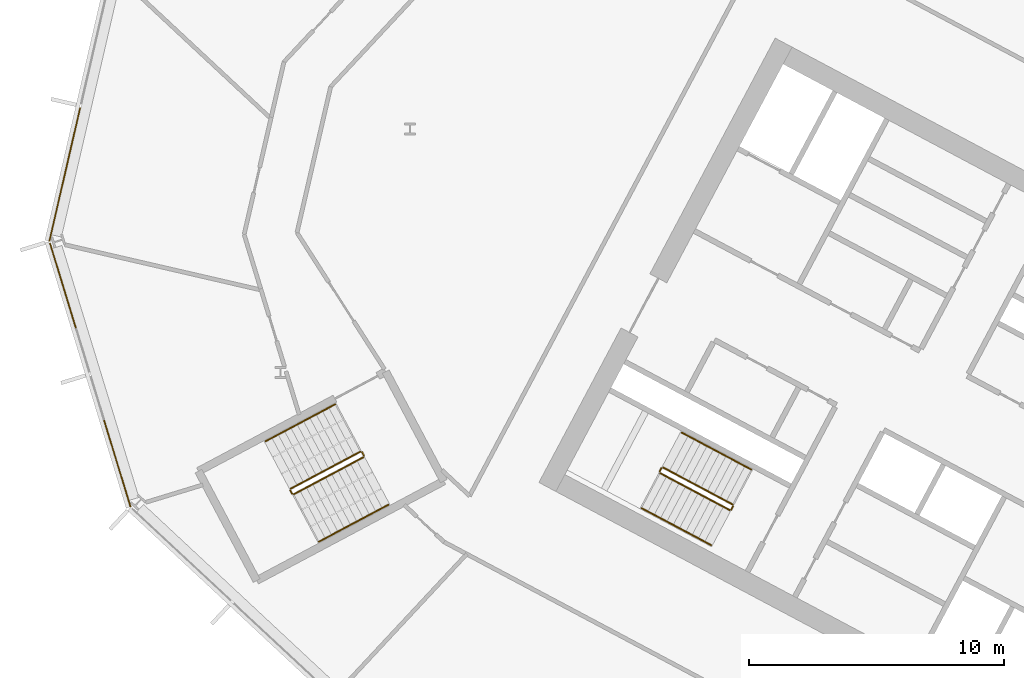
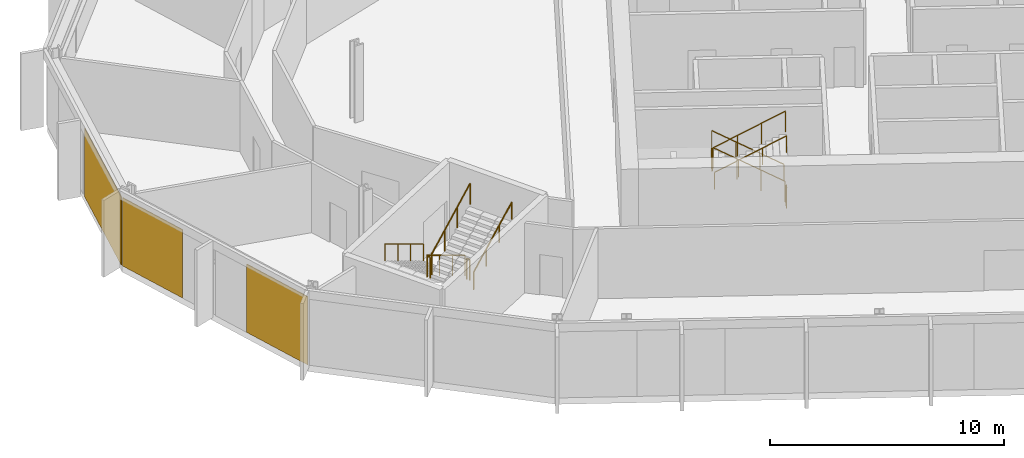
# One storey, part 21 of 28: 12 railings, 3 coverings, 2 elements without a shape of their own.
"""IFC4 building model written with IfcOpenShell, lengths in metres."""

import ifcopenshell
import ifcopenshell.guid

model = None  # the IFC model being written
_history = None  # IfcOwnerHistory: only IFC2X3 demands one
_inside = {}  # id of a spatial element -> (the spatial element, [elements in it])
_under = {}  # id of a project, library or spatial element -> (it, [spatial elements below it])
_declared = {}  # id of a project -> (the project, [libraries it declares])
_typed = {}  # id of a type object -> (the type object, [elements of that type])
_made_of = {}  # id of a material, layer set ... -> (it, [elements and type objects made of it])


def new_model(schema):
    """Start an empty IFC model of exactly this schema.

    Asked for "IFC4X3", IfcOpenShell would pick the latest addendum, in which some entities
    have other attributes; the version numbers below select the first issue.
    IFC2X3 requires an IfcOwnerHistory on every rooted entity: one is made here for all.
    """
    global model, _history
    if schema == "IFC4X3":
        model = ifcopenshell.file(schema_version=(4, 3, 0, 0))
    else:
        model = ifcopenshell.file(schema=schema)
    _inside.clear()
    _under.clear()
    _declared.clear()
    _typed.clear()
    _made_of.clear()
    _history = None
    if model.schema == "IFC2X3":
        org = make("IfcOrganization", Name="unknown")
        user = make(
            "IfcPersonAndOrganization",
            ThePerson=make("IfcPerson", FamilyName="unknown"),
            TheOrganization=org,
        )
        app = make(
            "IfcApplication",
            ApplicationDeveloper=org,
            Version="unknown",
            ApplicationFullName="unknown",
            ApplicationIdentifier="unknown",
        )
        _history = make(
            "IfcOwnerHistory",
            OwningUser=user,
            OwningApplication=app,
            ChangeAction="ADDED",
            CreationDate=0,
        )
    return model


def make(cls, **values):
    """One entity of the class cls with the attributes given. An attribute that is None is left unset."""
    return model.create_entity(
        cls, **{name: value for name, value in values.items() if value is not None}
    )


def rooted(cls, **values):
    """An entity with a GlobalId (a new one), such as an element, a storey or a relation."""
    return make(cls, GlobalId=ifcopenshell.guid.new(), OwnerHistory=_history, **values)


def si_unit(unit_type, name, prefix=None):
    """IfcSIUnit, for example si_unit("LENGTHUNIT", "METRE", prefix="MILLI")."""
    return make("IfcSIUnit", UnitType=unit_type, Prefix=prefix, Name=name)


def assignment(units):
    """IfcUnitAssignment: the units of a project."""
    return None if units is None else make("IfcUnitAssignment", Units=units)


def point(xyz):
    """IfcCartesianPoint."""
    return None if xyz is None else make("IfcCartesianPoint", Coordinates=xyz)


def direction(xyz):
    """IfcDirection."""
    return None if xyz is None else make("IfcDirection", DirectionRatios=xyz)


def frame(location, z_axis=None, x_axis=None):
    """IfcAxis2Placement3D, a coordinate frame: its origin and axes. An axis left out is left unset."""
    return make(
        "IfcAxis2Placement3D",
        Location=point(location),
        Axis=direction(z_axis),
        RefDirection=direction(x_axis),
    )


def frame_2d(location, x_axis=None):
    """IfcAxis2Placement2D, a coordinate frame in the plane: its origin and x axis."""
    return make(
        "IfcAxis2Placement2D", Location=point(location), RefDirection=direction(x_axis)
    )


def origin():
    """The frame at (0, 0, 0) with its axes left unset."""
    return frame((0.0, 0.0, 0.0))


def origin_2d():
    """The frame at (0, 0) in the plane with its x axis left unset."""
    return frame_2d((0.0, 0.0))


def place(relative_to, where):
    """IfcLocalPlacement: puts the frame where relative to a parent placement (None: the world)."""
    return make(
        "IfcLocalPlacement", PlacementRelTo=relative_to, RelativePlacement=where
    )


def context(
    kind, dimensions, precision=None, world=None, true_north=None, identifier=None
):
    """IfcGeometricRepresentationContext, for example the 3D "Model" context."""
    return make(
        "IfcGeometricRepresentationContext",
        ContextIdentifier=identifier,
        ContextType=kind,
        CoordinateSpaceDimension=dimensions,
        Precision=precision,
        WorldCoordinateSystem=world,
        TrueNorth=true_north,
    )


def subcontext(parent, identifier, kind, view, scale=None):
    """IfcGeometricRepresentationSubContext, for example "Body" below "Model"."""
    return make(
        "IfcGeometricRepresentationSubContext",
        ContextIdentifier=identifier,
        ContextType=kind,
        ParentContext=parent,
        TargetScale=scale,
        TargetView=view,
    )


def project(units=None, contexts=None):
    """IfcProject with its units and contexts."""
    return rooted(
        "IfcProject",
        Name="project",
        RepresentationContexts=contexts,
        UnitsInContext=assignment(units),
    )


def spatial(cls, under=None, at=None, **own):
    """A site, building, storey or space (cls), placed at a placement, below another one or the project."""
    s = rooted(cls, ObjectPlacement=at, **own)
    if under is not None:
        _under.setdefault(under.id(), (under, []))[1].append(s)
    return s


def polyline(points):
    """IfcPolyline through the points."""
    return make("IfcPolyline", Points=[point(p) for p in points])


def profile(cls, at=None, kind="AREA", **sizes):
    """A parametric profile (cls). Its sizes go by their IFC names, for example OverallWidth=200.0."""
    return make(cls, ProfileType=kind, Position=at, **sizes)


def rectangle(**sizes):
    """IfcRectangleProfileDef."""
    return profile("IfcRectangleProfileDef", **sizes)


def outline(outer, holes=None, kind="AREA"):
    """IfcArbitraryClosedProfileDef: a profile drawn as a closed curve; with holes, ...WithVoids."""
    if holes is None:
        return make("IfcArbitraryClosedProfileDef", ProfileType=kind, OuterCurve=outer)
    return make(
        "IfcArbitraryProfileDefWithVoids",
        ProfileType=kind,
        OuterCurve=outer,
        InnerCurves=holes,
    )


def extrude(swept, where, along, depth):
    """IfcExtrudedAreaSolid: the profile swept, set in the frame where, extruded along a direction by depth."""
    return make(
        "IfcExtrudedAreaSolid",
        SweptArea=swept,
        Position=where,
        ExtrudedDirection=direction(along),
        Depth=depth,
    )


def shape(context_of_items, identifier, shape_type, items):
    """IfcShapeRepresentation: the items that make up one representation, for example the "Body"."""
    return make(
        "IfcShapeRepresentation",
        ContextOfItems=context_of_items,
        RepresentationIdentifier=identifier,
        RepresentationType=shape_type,
        Items=items,
    )


def material(Name=None, Category=None):
    """IfcMaterial."""
    return make("IfcMaterial", Name=Name, Category=Category)


def layer(
    of_material, thickness, ventilated=None, Name=None, Category=None, Priority=None
):
    """IfcMaterialLayer: one layer of a wall or slab, of a material (None: an air gap)."""
    return make(
        "IfcMaterialLayer",
        Material=of_material,
        LayerThickness=thickness,
        IsVentilated=ventilated,
        Name=Name,
        Category=Category,
        Priority=Priority,
    )


def layer_set(layers, Name=None):
    """IfcMaterialLayerSet."""
    return make("IfcMaterialLayerSet", MaterialLayers=layers, LayerSetName=Name)


def made_of(thing, what):
    """Note that an element or type object is made of a material, layer set ...; save() writes the relation."""
    if what is not None:
        _made_of.setdefault(what.id(), (what, []))[1].append(thing)
    return thing


def type_object(cls, material=None, **own):
    """A type object (cls), such as IfcWallType, which elements share."""
    return made_of(rooted(cls, **own), material)


def element(
    cls,
    number,
    at=None,
    inside=None,
    cuts=None,
    type_object=None,
    material=None,
    context=None,
    identifier="Body",
    shape_type=None,
    held_by="IfcProductDefinitionShape",
    body=None,
    shapes=None,
    **own,
):
    """One element of the class cls, such as IfcWall. Its Tag is "e" and its number.

    at: its placement. inside: the storey or other place that contains it. cuts: it is an
    opening in that element (IfcRelVoidsElement). A single representation is given by context,
    identifier, shape_type and body (its items); several are given by shapes. held_by: the class
    of the entity that holds the representations. save() writes the other relations.
    """
    e = rooted(cls, Tag="e%d" % number, ObjectPlacement=at, **own)
    if body is not None:
        shapes = [shape(context, identifier, shape_type, body)]
    if shapes is not None:
        e.Representation = make(held_by, Representations=shapes)
    if inside is not None:
        _inside.setdefault(inside.id(), (inside, []))[1].append(e)
    if cuts is not None:
        rooted(
            "IfcRelVoidsElement", RelatingBuildingElement=cuts, RelatedOpeningElement=e
        )
    if type_object is not None:
        _typed.setdefault(type_object.id(), (type_object, []))[1].append(e)
    return made_of(e, material)


def aggregate(whole, parts):
    """IfcRelAggregates: a whole, such as a stair, and the parts it consists of."""
    return rooted("IfcRelAggregates", RelatingObject=whole, RelatedObjects=parts)


def save(model, path):
    """Write the relations noted so far, then the file.

    IfcRelAggregates (storeys below a building ...), IfcRelContainedInSpatialStructure (elements
    in a storey), IfcRelDefinesByType, IfcRelAssociatesMaterial and IfcRelDeclares: one each for
    every whole, place, type object, material and project.
    """
    for whole, parts in _under.values():
        aggregate(whole, parts)
    for where, things in _inside.values():
        rooted(
            "IfcRelContainedInSpatialStructure",
            RelatedElements=things,
            RelatingStructure=where,
        )
    for kind, things in _typed.values():
        rooted("IfcRelDefinesByType", RelatedObjects=things, RelatingType=kind)
    for what, things in _made_of.values():
        rooted("IfcRelAssociatesMaterial", RelatedObjects=things, RelatingMaterial=what)
    for by, libraries in _declared.values():
        rooted("IfcRelDeclares", RelatingContext=by, RelatedDefinitions=libraries)
    model.write(path)


model = new_model("IFC4")

# Units and contexts
model_context = context("Model", 3, precision=1e-05, world=origin(), true_north=direction((0.0, 1.0)))
body_context = subcontext(model_context, "Body", "Model", "MODEL_VIEW")
ifc_project = project(units=[si_unit("LENGTHUNIT", "METRE"), si_unit("AREAUNIT", "SQUARE_METRE"), si_unit("VOLUMEUNIT", "CUBIC_METRE"), si_unit("PLANEANGLEUNIT", "RADIAN"), si_unit("MASSUNIT", "GRAM", prefix="KILO")], contexts=[model_context])

# Site, building, storey
site_placement = place(None, origin())
site = spatial("IfcSite", under=ifc_project, at=site_placement, CompositionType="ELEMENT")
building_placement = place(site_placement, origin())
building = spatial("IfcBuilding", under=site, at=building_placement, Name="Cormorant Relay Tower", CompositionType="ELEMENT")
storey_placement = place(building_placement, frame((0.0, 0.0, 170.199951171875)))
storey = spatial("IfcBuildingStorey", under=building, at=storey_placement, Name="L36", CompositionType="ELEMENT", Elevation=170.199951171875)

# Curtain wall, covering
ifc_material_1 = material(Name="Aluminium 6063-T6 anodised bronze", Category="aluminium")
ifc_layer_1 = layer(ifc_material_1, 0.199951171875)
ifc_layer_set_1 = layer_set([ifc_layer_1], Name="CW1 unitised bronze curtain wall with vertical fins")
curtain_wall_type = type_object("IfcCurtainWallType", Name="CW1 unitised bronze curtain wall with vertical fins", PredefinedType="NOTDEFINED", material=ifc_layer_set_1)
curtain_wall_1_placement = place(storey_placement, origin())
curtain_wall_1 = element("IfcCurtainWall", 1, at=curtain_wall_1_placement, inside=storey, type_object=curtain_wall_type, Name="CW1 curtain wall 13", PredefinedType="NOTDEFINED")
ifc_material_2 = material(Name="Pale bronze anodised aluminium insulated panel", Category="aluminium")
ifc_layer_2 = layer(ifc_material_2, 0.0400390625)
ifc_layer_set_2 = layer_set([ifc_layer_2], Name="CW1 pale bronze insulated panel 40")
covering_type = type_object("IfcCoveringType", Name="CW1 pale bronze insulated panel 40", PredefinedType="CLADDING", material=ifc_layer_set_2)
covering_1_placement = place(storey_placement, frame((-60.136474609375, 23.00927734375, 0.0), z_axis=(0.0, 0.0, 1.0), x_axis=(-0.224951054344, -0.974370064785, 0.0)))
covering_1 = element("IfcCovering", 2, at=covering_1_placement, type_object=covering_type, Name="CW1 panel S02", PredefinedType="CLADDING", context=body_context, shape_type="SweptSolid", body=[
    extrude(rectangle(XDim=5.360107421875, YDim=0.0400390625, at=origin_2d()), origin(), (0.0, 0.0, 1.0), 3.550048828125),
])
aggregate(curtain_wall_1, [covering_1])

# Curtain wall, coverings
curtain_wall_2_placement = place(storey_placement, origin())
curtain_wall_2 = element("IfcCurtainWall", 3, at=curtain_wall_2_placement, inside=storey, type_object=curtain_wall_type, Name="CW1 curtain wall 14", PredefinedType="NOTDEFINED")
covering_2_placement = place(storey_placement, frame((-60.20751953125, 18.6494140625, 0.0), z_axis=(0.0, 0.0, 1.0), x_axis=(0.292371704723, -0.956304755963, 0.0)))
covering_2 = element("IfcCovering", 4, at=covering_2_placement, type_object=covering_type, Name="CW1 panel S00", PredefinedType="CLADDING", context=body_context, shape_type="SweptSolid", body=[
    extrude(rectangle(XDim=3.485107421875, YDim=0.0400390625, at=origin_2d()), origin(), (0.0, 0.0, 1.0), 3.550048828125),
])
covering_3_placement = place(storey_placement, frame((-58.081298828125, 11.6943359375, 0.0), z_axis=(0.0, 0.0, 1.0), x_axis=(0.292371704723, -0.956304755963, 0.0)))
covering_3 = element("IfcCovering", 5, at=covering_3_placement, type_object=covering_type, Name="CW1 panel S03", PredefinedType="CLADDING", context=body_context, shape_type="SweptSolid", body=[
    extrude(rectangle(XDim=3.560302734375, YDim=0.0400390625, at=origin_2d()), origin(), (0.0, 0.0, 1.0), 3.550048828125),
])
aggregate(curtain_wall_2, [covering_2, covering_3])

# Railings
ifc_material_3 = material(Name="Steel ASTM A572 Grade 50 (Fy 345 MPa)", Category="steel")
railing_type_1 = type_object("IfcRailingType", Name="Stair guard 1100", PredefinedType="GUARDRAIL", material=ifc_material_3)
railing_1_placement = place(storey_placement, frame((-33.9921875, 10.08935546875, 0.166748046875)))
element("IfcRailing", 6, at=railing_1_placement, inside=storey, type_object=railing_type_1, Name="L36 A2 stair guard 1", PredefinedType="GUARDRAIL", context=body_context, shape_type="SweptSolid", body=[
    extrude(outline(polyline([(0.022216796875, 0.00927734375), (0.00927734375, 0.022216796875), (-0.00927734375, 0.022216796875), (-0.022216796875, 0.00927734375), (-0.022216796875, -0.00927734375), (-0.00927734375, -0.022216796875), (0.00927734375, -0.022216796875), (0.022216796875, -0.00927734375), (0.022216796875, 0.00927734375)])), frame((0.0, 0.0, 1.076171875), z_axis=(-0.758713656843, 0.403434867536, 0.511462505542), x_axis=(-0.469489399267, -0.882938108802, 0.0)), (0.0, 0.0, 1.0), 3.584228515625),
    extrude(outline(polyline([(0.019287109375, 0.008056640625), (0.008056640625, 0.019287109375), (-0.008056640625, 0.019287109375), (-0.019287109375, 0.008056640625), (-0.019287109375, -0.008056640625), (-0.008056640625, -0.019287109375), (0.008056640625, -0.019287109375), (0.019287109375, -0.008056640625), (0.019287109375, 0.008056640625)])), origin(), (0.0, 0.0, 1.0), 1.052001953125),
    extrude(outline(polyline([(0.019287109375, 0.008056640625), (0.008056640625, 0.019287109375), (-0.008056640625, 0.019287109375), (-0.019287109375, 0.008056640625), (-0.019287109375, -0.008056640625), (-0.008056640625, -0.019287109375), (0.008056640625, -0.019287109375), (0.019287109375, -0.008056640625), (0.019287109375, 0.008056640625)])), frame((-0.906494140625, 0.48193359375, 0.611083984375)), (0.0, 0.0, 1.0), 1.052001953125),
    extrude(outline(polyline([(0.019287109375, 0.008056640625), (0.008056640625, 0.019287109375), (-0.008056640625, 0.019287109375), (-0.019287109375, 0.008056640625), (-0.019287109375, -0.008056640625), (-0.008056640625, -0.019287109375), (0.008056640625, -0.019287109375), (0.019287109375, -0.008056640625), (0.019287109375, 0.008056640625)])), frame((-1.81298828125, 0.964111328125, 1.22216796875)), (0.0, 0.0, 1.0), 1.052001953125),
    extrude(outline(polyline([(0.019287109375, 0.008056640625), (0.008056640625, 0.019287109375), (-0.008056640625, 0.019287109375), (-0.019287109375, 0.008056640625), (-0.019287109375, -0.008056640625), (-0.008056640625, -0.019287109375), (0.008056640625, -0.019287109375), (0.019287109375, -0.008056640625), (0.019287109375, 0.008056640625)])), frame((-2.719482421875, 1.446044921875, 1.833251953125)), (0.0, 0.0, 1.0), 1.052001953125),
])
railing_2_placement = place(storey_placement, frame((-36.779296875, 11.5146484375, 2.0)))
element("IfcRailing", 7, at=railing_2_placement, inside=storey, type_object=railing_type_1, Name="L36 A2 stair guard 2", PredefinedType="GUARDRAIL", context=body_context, shape_type="SweptSolid", body=[
    extrude(outline(polyline([(0.022216796875, 0.00927734375), (0.00927734375, 0.022216796875), (-0.00927734375, 0.022216796875), (-0.022216796875, 0.00927734375), (-0.022216796875, -0.00927734375), (-0.00927734375, -0.022216796875), (0.00927734375, -0.022216796875), (0.022216796875, -0.00927734375), (0.022216796875, 0.00927734375)])), frame((0.0, 0.0, 1.076171875), z_axis=(-0.469234640946, -0.883073525669, 0.0), x_axis=(0.883073525669, -0.469234640946, 0.0)), (0.0, 0.0, 1.0), 0.14990234375),
    extrude(outline(polyline([(0.019287109375, 0.008056640625), (0.008056640625, 0.019287109375), (-0.008056640625, 0.019287109375), (-0.019287109375, 0.008056640625), (-0.019287109375, -0.008056640625), (-0.008056640625, -0.019287109375), (0.008056640625, -0.019287109375), (0.019287109375, -0.008056640625), (0.019287109375, 0.008056640625)])), origin(), (0.0, 0.0, 1.0), 1.052001953125),
    extrude(outline(polyline([(0.019287109375, 0.008056640625), (0.008056640625, 0.019287109375), (-0.008056640625, 0.019287109375), (-0.019287109375, 0.008056640625), (-0.019287109375, -0.008056640625), (-0.008056640625, -0.019287109375), (0.008056640625, -0.019287109375), (0.019287109375, -0.008056640625), (0.019287109375, 0.008056640625)])), frame((-0.0703125, -0.13232421875, 0.0)), (0.0, 0.0, 1.0), 1.052001953125),
])
railing_3_placement = place(storey_placement, frame((-36.8291015625, 11.314697265625, 2.166748046875)))
element("IfcRailing", 8, at=railing_3_placement, inside=storey, type_object=railing_type_1, Name="L36 A2 stair guard 3", PredefinedType="GUARDRAIL", context=body_context, shape_type="SweptSolid", body=[
    extrude(outline(polyline([(0.022216796875, 0.00927734375), (0.00927734375, 0.022216796875), (-0.00927734375, 0.022216796875), (-0.022216796875, 0.00927734375), (-0.022216796875, -0.00927734375), (-0.00927734375, -0.022216796875), (0.00927734375, -0.022216796875), (0.022216796875, -0.00927734375), (0.022216796875, 0.00927734375)])), frame((0.0, 0.0, 1.076171875), z_axis=(0.758713656843, -0.403434867536, 0.511462505542), x_axis=(0.469489399267, 0.882938108802, 0.0)), (0.0, 0.0, 1.0), 3.584228515625),
    extrude(outline(polyline([(0.019287109375, 0.008056640625), (0.008056640625, 0.019287109375), (-0.008056640625, 0.019287109375), (-0.019287109375, 0.008056640625), (-0.019287109375, -0.008056640625), (-0.008056640625, -0.019287109375), (0.008056640625, -0.019287109375), (0.019287109375, -0.008056640625), (0.019287109375, 0.008056640625)])), origin(), (0.0, 0.0, 1.0), 1.052001953125),
    extrude(outline(polyline([(0.019287109375, 0.008056640625), (0.008056640625, 0.019287109375), (-0.008056640625, 0.019287109375), (-0.019287109375, 0.008056640625), (-0.019287109375, -0.008056640625), (-0.008056640625, -0.019287109375), (0.008056640625, -0.019287109375), (0.019287109375, -0.008056640625), (0.019287109375, 0.008056640625)])), frame((0.906494140625, -0.48193359375, 0.611083984375)), (0.0, 0.0, 1.0), 1.052001953125),
    extrude(outline(polyline([(0.019287109375, 0.008056640625), (0.008056640625, 0.019287109375), (-0.008056640625, 0.019287109375), (-0.019287109375, 0.008056640625), (-0.019287109375, -0.008056640625), (-0.008056640625, -0.019287109375), (0.008056640625, -0.019287109375), (0.019287109375, -0.008056640625), (0.019287109375, 0.008056640625)])), frame((1.81298828125, -0.964111328125, 1.22216796875)), (0.0, 0.0, 1.0), 1.052001953125),
    extrude(outline(polyline([(0.019287109375, 0.008056640625), (0.008056640625, 0.019287109375), (-0.008056640625, 0.019287109375), (-0.019287109375, 0.008056640625), (-0.019287109375, -0.008056640625), (-0.008056640625, -0.019287109375), (0.008056640625, -0.019287109375), (0.019287109375, -0.008056640625), (0.019287109375, 0.008056640625)])), frame((2.719482421875, -1.446044921875, 1.833251953125)), (0.0, 0.0, 1.0), 1.052001953125),
])
railing_4_placement = place(storey_placement, frame((-33.971435546875, 10.021728515625, 0.0)))
element("IfcRailing", 9, at=railing_4_placement, inside=storey, type_object=railing_type_1, Name="L36 A2 stair guard 4", PredefinedType="GUARDRAIL", context=body_context, shape_type="SweptSolid", body=[
    extrude(outline(polyline([(0.022216796875, 0.00927734375), (0.00927734375, 0.022216796875), (-0.00927734375, 0.022216796875), (-0.022216796875, 0.00927734375), (-0.022216796875, -0.00927734375), (-0.00927734375, -0.022216796875), (0.00927734375, -0.022216796875), (0.022216796875, -0.00927734375), (0.022216796875, 0.00927734375)])), frame((0.0, 0.0, 1.076171875), z_axis=(-0.470503732759, -0.882398003998, 0.0), x_axis=(0.882398003998, -0.470503732759, 0.0)), (0.0, 0.0, 1.0), 0.14990234375),
    extrude(outline(polyline([(0.019287109375, 0.008056640625), (0.008056640625, 0.019287109375), (-0.008056640625, 0.019287109375), (-0.019287109375, 0.008056640625), (-0.019287109375, -0.008056640625), (-0.008056640625, -0.019287109375), (0.008056640625, -0.019287109375), (0.019287109375, -0.008056640625), (0.019287109375, 0.008056640625)])), origin(), (0.0, 0.0, 1.0), 1.052001953125),
    extrude(outline(polyline([(0.019287109375, 0.008056640625), (0.008056640625, 0.019287109375), (-0.008056640625, 0.019287109375), (-0.019287109375, 0.008056640625), (-0.019287109375, -0.008056640625), (-0.008056640625, -0.019287109375), (0.008056640625, -0.019287109375), (0.019287109375, -0.008056640625), (0.019287109375, 0.008056640625)])), frame((-0.070556640625, -0.13232421875, 0.0)), (0.0, 0.0, 1.0), 1.052001953125),
])
railing_5_placement = place(storey_placement, frame((-48.5693359375, 12.155517578125, 0.166748046875)))
element("IfcRailing", 10, at=railing_5_placement, inside=storey, type_object=railing_type_1, Name="L36 RP1 stair guard 1", PredefinedType="GUARDRAIL", context=body_context, shape_type="SweptSolid", body=[
    extrude(outline(polyline([(0.022216796875, 0.00927734375), (0.00927734375, 0.022216796875), (-0.00927734375, 0.022216796875), (-0.022216796875, 0.00927734375), (-0.022216796875, -0.00927734375), (-0.00927734375, -0.022216796875), (0.00927734375, -0.022216796875), (0.022216796875, -0.00927734375), (0.022216796875, 0.00927734375)])), frame((0.0, 0.0, 1.076171875), z_axis=(-0.758713656843, -0.403434867536, 0.511462505542), x_axis=(0.469489399267, -0.882938108802, 0.0)), (0.0, 0.0, 1.0), 3.584228515625),
    extrude(outline(polyline([(0.019287109375, 0.008056640625), (0.008056640625, 0.019287109375), (-0.008056640625, 0.019287109375), (-0.019287109375, 0.008056640625), (-0.019287109375, -0.008056640625), (-0.008056640625, -0.019287109375), (0.008056640625, -0.019287109375), (0.019287109375, -0.008056640625), (0.019287109375, 0.008056640625)])), origin(), (0.0, 0.0, 1.0), 1.052001953125),
    extrude(outline(polyline([(0.019287109375, 0.008056640625), (0.008056640625, 0.019287109375), (-0.008056640625, 0.019287109375), (-0.019287109375, 0.008056640625), (-0.019287109375, -0.008056640625), (-0.008056640625, -0.019287109375), (0.008056640625, -0.019287109375), (0.019287109375, -0.008056640625), (0.019287109375, 0.008056640625)])), frame((-0.906494140625, -0.48193359375, 0.611083984375)), (0.0, 0.0, 1.0), 1.052001953125),
    extrude(outline(polyline([(0.019287109375, 0.008056640625), (0.008056640625, 0.019287109375), (-0.008056640625, 0.019287109375), (-0.019287109375, 0.008056640625), (-0.019287109375, -0.008056640625), (-0.008056640625, -0.019287109375), (0.008056640625, -0.019287109375), (0.019287109375, -0.008056640625), (0.019287109375, 0.008056640625)])), frame((-1.81298828125, -0.964111328125, 1.22216796875)), (0.0, 0.0, 1.0), 1.052001953125),
    extrude(outline(polyline([(0.019287109375, 0.008056640625), (0.008056640625, 0.019287109375), (-0.008056640625, 0.019287109375), (-0.019287109375, 0.008056640625), (-0.019287109375, -0.008056640625), (-0.008056640625, -0.019287109375), (0.008056640625, -0.019287109375), (0.019287109375, -0.008056640625), (0.019287109375, 0.008056640625)])), frame((-2.719482421875, -1.446044921875, 1.833251953125)), (0.0, 0.0, 1.0), 1.052001953125),
])
railing_6_placement = place(storey_placement, frame((-51.3095703125, 10.641845703125, 2.0)))
element("IfcRailing", 11, at=railing_6_placement, inside=storey, type_object=railing_type_1, Name="L36 RP1 stair guard 2", PredefinedType="GUARDRAIL", context=body_context, shape_type="SweptSolid", body=[
    extrude(outline(polyline([(0.022216796875, 0.00927734375), (0.00927734375, 0.022216796875), (-0.00927734375, 0.022216796875), (-0.022216796875, 0.00927734375), (-0.022216796875, -0.00927734375), (-0.00927734375, -0.022216796875), (0.00927734375, -0.022216796875), (0.022216796875, -0.00927734375), (0.022216796875, 0.00927734375)])), frame((0.0, 0.0, 1.076171875), z_axis=(0.469828648786, -0.882757634224, 0.0), x_axis=(0.882757634224, 0.469828648786, 0.0)), (0.0, 0.0, 1.0), 0.150146484375),
    extrude(outline(polyline([(0.019287109375, 0.008056640625), (0.008056640625, 0.019287109375), (-0.008056640625, 0.019287109375), (-0.019287109375, 0.008056640625), (-0.019287109375, -0.008056640625), (-0.008056640625, -0.019287109375), (0.008056640625, -0.019287109375), (0.019287109375, -0.008056640625), (0.019287109375, 0.008056640625)])), origin(), (0.0, 0.0, 1.0), 1.052001953125),
    extrude(outline(polyline([(0.019287109375, 0.008056640625), (0.008056640625, 0.019287109375), (-0.008056640625, 0.019287109375), (-0.019287109375, 0.008056640625), (-0.019287109375, -0.008056640625), (-0.008056640625, -0.019287109375), (0.008056640625, -0.019287109375), (0.019287109375, -0.008056640625), (0.019287109375, 0.008056640625)])), frame((0.070556640625, -0.132568359375, 0.0)), (0.0, 0.0, 1.0), 1.052001953125),
])
railing_7_placement = place(storey_placement, frame((-51.17138671875, 10.48876953125, 2.166748046875)))
element("IfcRailing", 12, at=railing_7_placement, inside=storey, type_object=railing_type_1, Name="L36 RP1 stair guard 3", PredefinedType="GUARDRAIL", context=body_context, shape_type="SweptSolid", body=[
    extrude(outline(polyline([(0.022216796875, 0.00927734375), (0.00927734375, 0.022216796875), (-0.00927734375, 0.022216796875), (-0.022216796875, 0.00927734375), (-0.022216796875, -0.00927734375), (-0.00927734375, -0.022216796875), (0.00927734375, -0.022216796875), (0.022216796875, -0.00927734375), (0.022216796875, 0.00927734375)])), frame((0.0, 0.0, 1.076171875), z_axis=(0.758734504837, 0.403377838015, 0.511476559549), x_axis=(-0.469427602063, 0.882970965786, 0.0)), (0.0, 0.0, 1.0), 3.584228515625),
    extrude(outline(polyline([(0.019287109375, 0.008056640625), (0.008056640625, 0.019287109375), (-0.008056640625, 0.019287109375), (-0.019287109375, 0.008056640625), (-0.019287109375, -0.008056640625), (-0.008056640625, -0.019287109375), (0.008056640625, -0.019287109375), (0.019287109375, -0.008056640625), (0.019287109375, 0.008056640625)])), origin(), (0.0, 0.0, 1.0), 1.052001953125),
    extrude(outline(polyline([(0.019287109375, 0.008056640625), (0.008056640625, 0.019287109375), (-0.008056640625, 0.019287109375), (-0.019287109375, 0.008056640625), (-0.019287109375, -0.008056640625), (-0.008056640625, -0.019287109375), (0.008056640625, -0.019287109375), (0.019287109375, -0.008056640625), (0.019287109375, 0.008056640625)])), frame((0.906494140625, 0.48193359375, 0.611083984375)), (0.0, 0.0, 1.0), 1.052001953125),
    extrude(outline(polyline([(0.019287109375, 0.008056640625), (0.008056640625, 0.019287109375), (-0.008056640625, 0.019287109375), (-0.019287109375, 0.008056640625), (-0.019287109375, -0.008056640625), (-0.008056640625, -0.019287109375), (0.008056640625, -0.019287109375), (0.019287109375, -0.008056640625), (0.019287109375, 0.008056640625)])), frame((1.81298828125, 0.9638671875, 1.22216796875)), (0.0, 0.0, 1.0), 1.052001953125),
    extrude(outline(polyline([(0.019287109375, 0.008056640625), (0.008056640625, 0.019287109375), (-0.008056640625, 0.019287109375), (-0.019287109375, 0.008056640625), (-0.019287109375, -0.008056640625), (-0.008056640625, -0.019287109375), (0.008056640625, -0.019287109375), (0.019287109375, -0.008056640625), (0.019287109375, 0.008056640625)])), frame((2.719482421875, 1.44580078125, 1.833251953125)), (0.0, 0.0, 1.0), 1.052001953125),
])
railing_8_placement = place(storey_placement, frame((-48.501708984375, 12.134765625, 0.0)))
element("IfcRailing", 13, at=railing_8_placement, inside=storey, type_object=railing_type_1, Name="L36 RP1 stair guard 4", PredefinedType="GUARDRAIL", context=body_context, shape_type="SweptSolid", body=[
    extrude(outline(polyline([(0.022216796875, 0.00927734375), (0.00927734375, 0.022216796875), (-0.00927734375, 0.022216796875), (-0.022216796875, 0.00927734375), (-0.022216796875, -0.00927734375), (-0.00927734375, -0.022216796875), (0.00927734375, -0.022216796875), (0.022216796875, -0.00927734375), (0.022216796875, 0.00927734375)])), frame((0.0, 0.0, 1.076171875), z_axis=(0.46856034887, -0.8834314911, 0.0), x_axis=(0.8834314911, 0.46856034887, 0.0)), (0.0, 0.0, 1.0), 0.150146484375),
    extrude(outline(polyline([(0.019287109375, 0.008056640625), (0.008056640625, 0.019287109375), (-0.008056640625, 0.019287109375), (-0.019287109375, 0.008056640625), (-0.019287109375, -0.008056640625), (-0.008056640625, -0.019287109375), (0.008056640625, -0.019287109375), (0.019287109375, -0.008056640625), (0.019287109375, 0.008056640625)])), origin(), (0.0, 0.0, 1.0), 1.052001953125),
    extrude(outline(polyline([(0.019287109375, 0.008056640625), (0.008056640625, 0.019287109375), (-0.008056640625, 0.019287109375), (-0.019287109375, 0.008056640625), (-0.019287109375, -0.008056640625), (-0.008056640625, -0.019287109375), (0.008056640625, -0.019287109375), (0.019287109375, -0.008056640625), (0.019287109375, 0.008056640625)])), frame((0.0703125, -0.132568359375, 0.0)), (0.0, 0.0, 1.0), 1.052001953125),
])
ifc_material_4 = material(Name="Steel ASTM A572 Grade 50 (Fy 345 MPa)", Category="steel")
railing_type_2 = type_object("IfcRailingType", Name="Stair handrail 900", PredefinedType="HANDRAIL", material=ifc_material_4)
railing_9_placement = place(storey_placement, frame((-33.264404296875, 11.4580078125, 0.166748046875)))
element("IfcRailing", 14, at=railing_9_placement, inside=storey, type_object=railing_type_2, Name="L36 A2 stair handrail 1", PredefinedType="HANDRAIL", context=body_context, shape_type="SweptSolid", body=[
    extrude(outline(polyline([(0.022216796875, 0.00927734375), (0.00927734375, 0.022216796875), (-0.00927734375, 0.022216796875), (-0.022216796875, 0.00927734375), (-0.022216796875, -0.00927734375), (-0.00927734375, -0.022216796875), (0.00927734375, -0.022216796875), (0.022216796875, -0.00927734375), (0.022216796875, 0.00927734375)])), frame((0.0, 0.0, 0.8759765625), z_axis=(-0.758734504837, 0.403377838015, 0.511476559549), x_axis=(-0.469427602063, -0.882970965786, 0.0)), (0.0, 0.0, 1.0), 3.584228515625),
    extrude(outline(polyline([(0.019287109375, 0.008056640625), (0.008056640625, 0.019287109375), (-0.008056640625, 0.019287109375), (-0.019287109375, 0.008056640625), (-0.019287109375, -0.008056640625), (-0.008056640625, -0.019287109375), (0.008056640625, -0.019287109375), (0.019287109375, -0.008056640625), (0.019287109375, 0.008056640625)])), origin(), (0.0, 0.0, 1.0), 0.851806640625),
    extrude(outline(polyline([(0.019287109375, 0.008056640625), (0.008056640625, 0.019287109375), (-0.008056640625, 0.019287109375), (-0.019287109375, 0.008056640625), (-0.019287109375, -0.008056640625), (-0.008056640625, -0.019287109375), (0.008056640625, -0.019287109375), (0.019287109375, -0.008056640625), (0.019287109375, 0.008056640625)])), frame((-0.906494140625, 0.48193359375, 0.611083984375)), (0.0, 0.0, 1.0), 0.851806640625),
    extrude(outline(polyline([(0.019287109375, 0.008056640625), (0.008056640625, 0.019287109375), (-0.008056640625, 0.019287109375), (-0.019287109375, 0.008056640625), (-0.019287109375, -0.008056640625), (-0.008056640625, -0.019287109375), (0.008056640625, -0.019287109375), (0.019287109375, -0.008056640625), (0.019287109375, 0.008056640625)])), frame((-1.81298828125, 0.9638671875, 1.22216796875)), (0.0, 0.0, 1.0), 0.851806640625),
    extrude(outline(polyline([(0.019287109375, 0.008056640625), (0.008056640625, 0.019287109375), (-0.008056640625, 0.019287109375), (-0.019287109375, 0.008056640625), (-0.019287109375, -0.008056640625), (-0.008056640625, -0.019287109375), (0.008056640625, -0.019287109375), (0.019287109375, -0.008056640625), (0.019287109375, 0.008056640625)])), frame((-2.719482421875, 1.44580078125, 1.833251953125)), (0.0, 0.0, 1.0), 0.851806640625),
])
railing_10_placement = place(storey_placement, frame((-37.556640625, 9.946044921875, 2.166748046875)))
element("IfcRailing", 15, at=railing_10_placement, inside=storey, type_object=railing_type_2, Name="L36 A2 stair handrail 2", PredefinedType="HANDRAIL", context=body_context, shape_type="SweptSolid", body=[
    extrude(outline(polyline([(0.022216796875, 0.00927734375), (0.00927734375, 0.022216796875), (-0.00927734375, 0.022216796875), (-0.022216796875, 0.00927734375), (-0.022216796875, -0.00927734375), (-0.00927734375, -0.022216796875), (0.00927734375, -0.022216796875), (0.022216796875, -0.00927734375), (0.022216796875, 0.00927734375)])), frame((0.0, 0.0, 0.8759765625), z_axis=(0.758713656843, -0.403434867536, 0.511462505542), x_axis=(0.469489399267, 0.882938108802, 0.0)), (0.0, 0.0, 1.0), 3.584228515625),
    extrude(outline(polyline([(0.019287109375, 0.008056640625), (0.008056640625, 0.019287109375), (-0.008056640625, 0.019287109375), (-0.019287109375, 0.008056640625), (-0.019287109375, -0.008056640625), (-0.008056640625, -0.019287109375), (0.008056640625, -0.019287109375), (0.019287109375, -0.008056640625), (0.019287109375, 0.008056640625)])), origin(), (0.0, 0.0, 1.0), 0.851806640625),
    extrude(outline(polyline([(0.019287109375, 0.008056640625), (0.008056640625, 0.019287109375), (-0.008056640625, 0.019287109375), (-0.019287109375, 0.008056640625), (-0.019287109375, -0.008056640625), (-0.008056640625, -0.019287109375), (0.008056640625, -0.019287109375), (0.019287109375, -0.008056640625), (0.019287109375, 0.008056640625)])), frame((0.906494140625, -0.48193359375, 0.611083984375)), (0.0, 0.0, 1.0), 0.851806640625),
    extrude(outline(polyline([(0.019287109375, 0.008056640625), (0.008056640625, 0.019287109375), (-0.008056640625, 0.019287109375), (-0.019287109375, 0.008056640625), (-0.019287109375, -0.008056640625), (-0.008056640625, -0.019287109375), (0.008056640625, -0.019287109375), (0.019287109375, -0.008056640625), (0.019287109375, 0.008056640625)])), frame((1.81298828125, -0.964111328125, 1.22216796875)), (0.0, 0.0, 1.0), 0.851806640625),
    extrude(outline(polyline([(0.019287109375, 0.008056640625), (0.008056640625, 0.019287109375), (-0.008056640625, 0.019287109375), (-0.019287109375, 0.008056640625), (-0.019287109375, -0.008056640625), (-0.008056640625, -0.019287109375), (0.008056640625, -0.019287109375), (0.019287109375, -0.008056640625), (0.019287109375, 0.008056640625)])), frame((2.719482421875, -1.446044921875, 1.833251953125)), (0.0, 0.0, 1.0), 0.851806640625),
])
railing_11_placement = place(storey_placement, frame((-49.55517578125, 14.009521484375, 0.166748046875)))
element("IfcRailing", 16, at=railing_11_placement, inside=storey, type_object=railing_type_2, Name="L36 RP1 stair handrail 1", PredefinedType="HANDRAIL", context=body_context, shape_type="SweptSolid", body=[
    extrude(outline(polyline([(0.022216796875, 0.00927734375), (0.00927734375, 0.022216796875), (-0.00927734375, 0.022216796875), (-0.022216796875, 0.00927734375), (-0.022216796875, -0.00927734375), (-0.00927734375, -0.022216796875), (0.00927734375, -0.022216796875), (0.022216796875, -0.00927734375), (0.022216796875, 0.00927734375)])), frame((0.0, 0.0, 0.8759765625), z_axis=(-0.758734504837, -0.403377838015, 0.511476559549), x_axis=(0.469427602063, -0.882970965786, 0.0)), (0.0, 0.0, 1.0), 3.584228515625),
    extrude(outline(polyline([(0.019287109375, 0.008056640625), (0.008056640625, 0.019287109375), (-0.008056640625, 0.019287109375), (-0.019287109375, 0.008056640625), (-0.019287109375, -0.008056640625), (-0.008056640625, -0.019287109375), (0.008056640625, -0.019287109375), (0.019287109375, -0.008056640625), (0.019287109375, 0.008056640625)])), origin(), (0.0, 0.0, 1.0), 0.851806640625),
    extrude(outline(polyline([(0.019287109375, 0.008056640625), (0.008056640625, 0.019287109375), (-0.008056640625, 0.019287109375), (-0.019287109375, 0.008056640625), (-0.019287109375, -0.008056640625), (-0.008056640625, -0.019287109375), (0.008056640625, -0.019287109375), (0.019287109375, -0.008056640625), (0.019287109375, 0.008056640625)])), frame((-0.906494140625, -0.48193359375, 0.611083984375)), (0.0, 0.0, 1.0), 0.851806640625),
    extrude(outline(polyline([(0.019287109375, 0.008056640625), (0.008056640625, 0.019287109375), (-0.008056640625, 0.019287109375), (-0.019287109375, 0.008056640625), (-0.019287109375, -0.008056640625), (-0.008056640625, -0.019287109375), (0.008056640625, -0.019287109375), (0.019287109375, -0.008056640625), (0.019287109375, 0.008056640625)])), frame((-1.81298828125, -0.9638671875, 1.22216796875)), (0.0, 0.0, 1.0), 0.851806640625),
    extrude(outline(polyline([(0.019287109375, 0.008056640625), (0.008056640625, 0.019287109375), (-0.008056640625, 0.019287109375), (-0.019287109375, 0.008056640625), (-0.019287109375, -0.008056640625), (-0.008056640625, -0.019287109375), (0.008056640625, -0.019287109375), (0.019287109375, -0.008056640625), (0.019287109375, 0.008056640625)])), frame((-2.719482421875, -1.44580078125, 1.833251953125)), (0.0, 0.0, 1.0), 0.851806640625),
])
railing_12_placement = place(storey_placement, frame((-50.185546875, 8.634521484375, 2.166748046875)))
element("IfcRailing", 17, at=railing_12_placement, inside=storey, type_object=railing_type_2, Name="L36 RP1 stair handrail 2", PredefinedType="HANDRAIL", context=body_context, shape_type="SweptSolid", body=[
    extrude(outline(polyline([(0.022216796875, 0.00927734375), (0.00927734375, 0.022216796875), (-0.00927734375, 0.022216796875), (-0.022216796875, 0.00927734375), (-0.022216796875, -0.00927734375), (-0.00927734375, -0.022216796875), (0.00927734375, -0.022216796875), (0.022216796875, -0.00927734375), (0.022216796875, 0.00927734375)])), frame((0.0, 0.0, 0.8759765625), z_axis=(0.758713656843, 0.403434867536, 0.511462505542), x_axis=(-0.469489399267, 0.882938108802, 0.0)), (0.0, 0.0, 1.0), 3.584228515625),
    extrude(outline(polyline([(0.019287109375, 0.008056640625), (0.008056640625, 0.019287109375), (-0.008056640625, 0.019287109375), (-0.019287109375, 0.008056640625), (-0.019287109375, -0.008056640625), (-0.008056640625, -0.019287109375), (0.008056640625, -0.019287109375), (0.019287109375, -0.008056640625), (0.019287109375, 0.008056640625)])), origin(), (0.0, 0.0, 1.0), 0.851806640625),
    extrude(outline(polyline([(0.019287109375, 0.008056640625), (0.008056640625, 0.019287109375), (-0.008056640625, 0.019287109375), (-0.019287109375, 0.008056640625), (-0.019287109375, -0.008056640625), (-0.008056640625, -0.019287109375), (0.008056640625, -0.019287109375), (0.019287109375, -0.008056640625), (0.019287109375, 0.008056640625)])), frame((0.906494140625, 0.48193359375, 0.611083984375)), (0.0, 0.0, 1.0), 0.851806640625),
    extrude(outline(polyline([(0.019287109375, 0.008056640625), (0.008056640625, 0.019287109375), (-0.008056640625, 0.019287109375), (-0.019287109375, 0.008056640625), (-0.019287109375, -0.008056640625), (-0.008056640625, -0.019287109375), (0.008056640625, -0.019287109375), (0.019287109375, -0.008056640625), (0.019287109375, 0.008056640625)])), frame((1.81298828125, 0.964111328125, 1.22216796875)), (0.0, 0.0, 1.0), 0.851806640625),
    extrude(outline(polyline([(0.019287109375, 0.008056640625), (0.008056640625, 0.019287109375), (-0.008056640625, 0.019287109375), (-0.019287109375, 0.008056640625), (-0.019287109375, -0.008056640625), (-0.008056640625, -0.019287109375), (0.008056640625, -0.019287109375), (0.019287109375, -0.008056640625), (0.019287109375, 0.008056640625)])), frame((2.719482421875, 1.446044921875, 1.833251953125)), (0.0, 0.0, 1.0), 0.851806640625),
])

save(model, "model.ifc")
